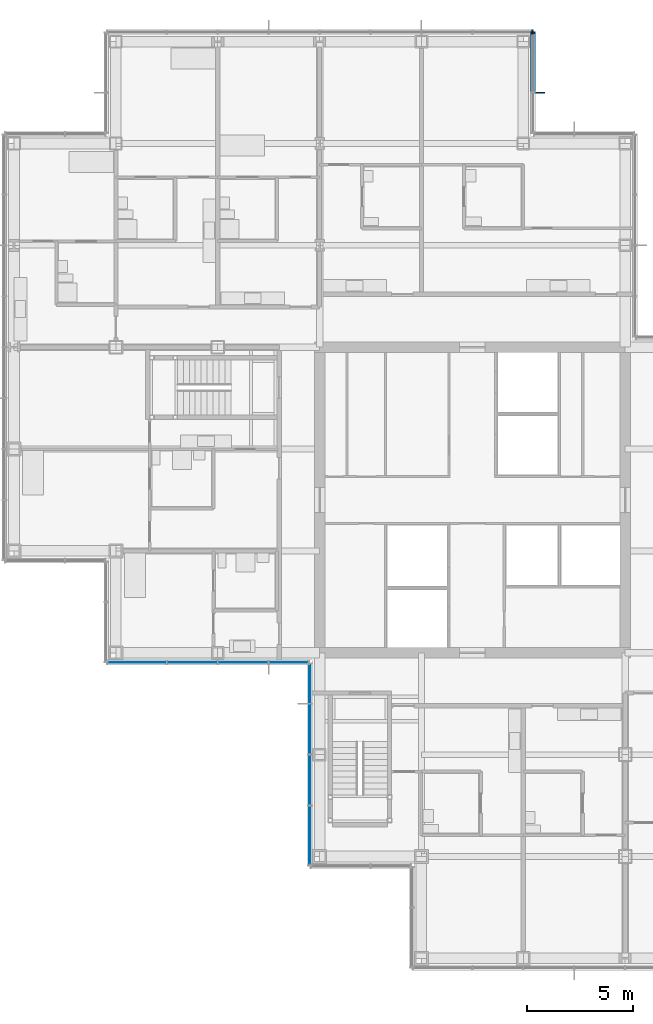
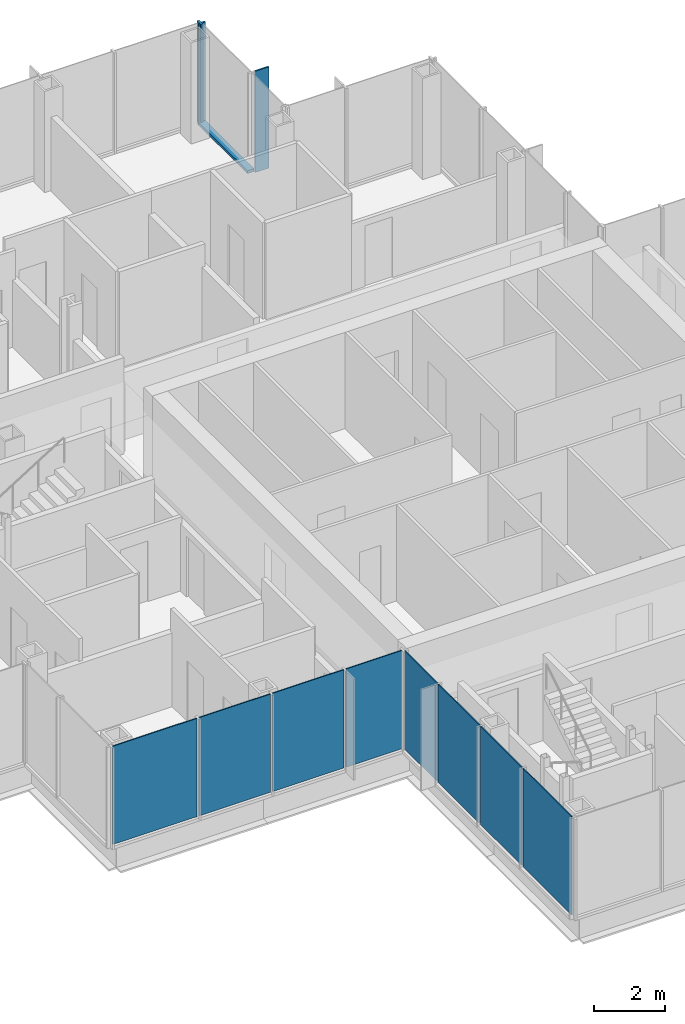
# One storey, part 11 of 20: 8 plates, 4 members, 4 elements without a shape of their own.
"""IFC4 building model written with IfcOpenShell, lengths in metres."""

from ifc_helpers import new_model, si_unit, direction, frame, origin, origin_2d, place, context, subcontext, project, spatial, rectangle, extrude, material, layer, layer_set, material_profile, profile_set, type_object, element, aggregate, save


model = new_model("IFC4")

# Units and contexts
model_context = context("Model", 3, precision=1e-05, world=origin(), true_north=direction((0.0, 1.0)))
body_context = subcontext(model_context, "Body", "Model", "MODEL_VIEW")
ifc_project = project(units=[si_unit("LENGTHUNIT", "METRE"), si_unit("AREAUNIT", "SQUARE_METRE"), si_unit("VOLUMEUNIT", "CUBIC_METRE"), si_unit("PLANEANGLEUNIT", "RADIAN"), si_unit("MASSUNIT", "GRAM", prefix="KILO")], contexts=[model_context])

# Site, building, storey
site_placement = place(None, origin())
site = spatial("IfcSite", under=ifc_project, at=site_placement, CompositionType="ELEMENT")
building_placement = place(site_placement, origin())
building = spatial("IfcBuilding", under=site, at=building_placement, Name="Kvirike Care Tower", CompositionType="ELEMENT")
storey_placement = place(building_placement, frame((0.0, 0.0, 105.0)))
storey = spatial("IfcBuildingStorey", under=building, at=storey_placement, Name="L28", CompositionType="ELEMENT", Elevation=105.0)

# Curtain wall, members
ifc_material_1 = material(Name="Anodised aluminium stick system", Category="aluminium")
curtain_wall_type = type_object("IfcCurtainWallType", Name="CW-B STICK CURTAIN WALL", PredefinedType="NOTDEFINED", material=ifc_material_1)
curtain_wall_1_placement = place(storey_placement, origin())
curtain_wall_1 = element("IfcCurtainWall", 1, at=curtain_wall_1_placement, inside=storey, type_object=curtain_wall_type, Name="Curtain wall L28 face 7", PredefinedType="NOTDEFINED")
ifc_material_2 = material(Name="Bronze anodised aluminium fin", Category="aluminium")
ifc_material_profile_1 = material_profile(ifc_material_2, rectangle(XDim=0.050048828125, YDim=0.449951171875, at=origin_2d()), Name="BRONZE FIN 450")
ifc_profile_set_1 = profile_set([ifc_material_profile_1], Name="Bronze anodised aluminium fin")
member_type_1 = type_object("IfcMemberType", Name="BRONZE FIN 450", PredefinedType="USERDEFINED", material=ifc_profile_set_1)
member_1_placement = place(storey_placement, frame((24.794921875, 55.199951171875, 0.0), z_axis=(0.0, 0.0, 1.0), x_axis=(0.0, 1.0, 0.0)))
member_1 = element("IfcMember", 2, at=member_1_placement, type_object=member_type_1, Name="Bronze fin L28 face 7.2", ObjectType="FIN", PredefinedType="USERDEFINED", context=body_context, shape_type="SweptSolid", body=[
    extrude(rectangle(XDim=0.050048828125, YDim=0.449951171875, at=origin_2d()), origin(), (0.0, 0.0, 1.0), 3.5),
])
ifc_material_3 = material(Name="Bronze anodised aluminium mullion", Category="aluminium")
ifc_material_profile_2 = material_profile(ifc_material_3, rectangle(XDim=0.06494140625, YDim=0.219970703125, at=origin_2d()), Name="CW-B MULLION 65x220")
ifc_profile_set_2 = profile_set([ifc_material_profile_2], Name="Bronze anodised aluminium mullion")
member_type_2 = type_object("IfcMemberType", Name="CW-B MULLION 65x220", PredefinedType="MULLION", material=ifc_profile_set_2)
member_2_placement = place(storey_placement, frame((24.4599609375, 58.027587890625, 0.0), z_axis=(0.0, 0.0, 1.0), x_axis=(0.0, 1.0, 0.0)))
member_2 = element("IfcMember", 3, at=member_2_placement, type_object=member_type_2, Name="CW-B mullion L28 face 7.3", PredefinedType="MULLION", context=body_context, shape_type="SweptSolid", body=[
    extrude(rectangle(XDim=0.06494140625, YDim=0.219970703125, at=origin_2d()), origin(), (0.0, 0.0, 1.0), 3.5),
])

# Curtain wall, member
curtain_wall_2_placement = place(storey_placement, origin())
curtain_wall_2 = element("IfcCurtainWall", 4, at=curtain_wall_2_placement, inside=storey, type_object=curtain_wall_type, Name="Curtain wall L28 face 8", PredefinedType="NOTDEFINED")
member_3_placement = place(storey_placement, frame((24.427490234375, 58.06005859375, 0.0), z_axis=(0.0, 0.0, 1.0), x_axis=(-1.0, 0.0, 0.0)))
member_3 = element("IfcMember", 5, at=member_3_placement, type_object=member_type_2, Name="CW-B mullion L28 face 8.1", PredefinedType="MULLION", context=body_context, shape_type="SweptSolid", body=[
    extrude(rectangle(XDim=0.06494140625, YDim=0.219970703125, at=origin_2d()), origin(), (0.0, 0.0, 1.0), 3.5),
])
aggregate(curtain_wall_2, [member_3])

# Member
ifc_material_4 = material(Name="Bronze anodised aluminium transom", Category="aluminium")
ifc_material_profile_3 = material_profile(ifc_material_4, rectangle(XDim=0.219970703125, YDim=0.10009765625, at=origin_2d()), Name="CW-B TRANSOM 220x100")
ifc_profile_set_3 = profile_set([ifc_material_profile_3], Name="Bronze anodised aluminium transom")
member_type_3 = type_object("IfcMemberType", Name="CW-B TRANSOM 220x100", PredefinedType="USERDEFINED", material=ifc_profile_set_3)
member_4_placement = place(storey_placement, frame((24.4599609375, 55.232421875, 0.050048828125), z_axis=(0.0, 1.0, 0.0), x_axis=(-1.0, 0.0, 0.0)))
member_4 = element("IfcMember", 6, at=member_4_placement, type_object=member_type_3, Name="CW-B sill transom L28 face 7.2", ObjectType="TRANSOM", PredefinedType="USERDEFINED", context=body_context, shape_type="SweptSolid", body=[
    extrude(rectangle(XDim=0.219970703125, YDim=0.10009765625, at=origin_2d()), origin(), (0.0, 0.0, 1.0), 2.7626953125),
])

aggregate(curtain_wall_1, [member_1, member_2, member_4])

# Curtain wall, plates
curtain_wall_3_placement = place(storey_placement, origin())
curtain_wall_3 = element("IfcCurtainWall", 7, at=curtain_wall_3_placement, inside=storey, type_object=curtain_wall_type, Name="Curtain wall L28 face 14", PredefinedType="NOTDEFINED")
ifc_material_5 = material(Name="Tinted double glazed unit", Category="glass")
ifc_layer = layer(ifc_material_5, 0.035888671875)
ifc_layer_set = layer_set([ifc_layer], Name="TINTED VISION PANEL 36")
plate_type = type_object("IfcPlateType", Name="TINTED VISION PANEL 36", PredefinedType="CURTAIN_PANEL", material=ifc_layer_set)
plate_1_placement = place(storey_placement, frame((5.7861328125, 28.340087890625, 0.10009765625), z_axis=(0.0, 0.0, 1.0), x_axis=(1.0, 0.0, 0.0)))
plate_1 = element("IfcPlate", 8, at=plate_1_placement, type_object=plate_type, Name="CW-B panel L28 face 14.1", PredefinedType="CURTAIN_PANEL", context=body_context, shape_type="SweptSolid", body=[
    extrude(rectangle(XDim=2.762451171875, YDim=0.035888671875, at=origin_2d()), origin(), (0.0, 0.0, 1.0), 3.39990234375),
])
plate_2_placement = place(storey_placement, frame((8.39990234375, 28.340087890625, 0.10009765625), z_axis=(0.0, 0.0, 1.0), x_axis=(1.0, 0.0, 0.0)))
plate_2 = element("IfcPlate", 9, at=plate_2_placement, type_object=plate_type, Name="CW-B panel L28 face 14.2", PredefinedType="CURTAIN_PANEL", context=body_context, shape_type="SweptSolid", body=[
    extrude(rectangle(XDim=2.3349609375, YDim=0.035888671875, at=origin_2d()), origin(), (0.0, 0.0, 1.0), 3.39990234375),
])
plate_3_placement = place(storey_placement, frame((10.800048828125, 28.340087890625, 0.10009765625), z_axis=(0.0, 0.0, 1.0), x_axis=(1.0, 0.0, 0.0)))
plate_3 = element("IfcPlate", 10, at=plate_3_placement, type_object=plate_type, Name="CW-B panel L28 face 14.3", PredefinedType="CURTAIN_PANEL", context=body_context, shape_type="SweptSolid", body=[
    extrude(rectangle(XDim=2.3349609375, YDim=0.035888671875, at=origin_2d()), origin(), (0.0, 0.0, 1.0), 3.39990234375),
])
plate_4_placement = place(storey_placement, frame((12.953857421875, 28.340087890625, 0.10009765625), z_axis=(0.0, 0.0, 1.0), x_axis=(1.0, 0.0, 0.0)))
plate_4 = element("IfcPlate", 11, at=plate_4_placement, type_object=plate_type, Name="CW-B panel L28 face 14.4", PredefinedType="CURTAIN_PANEL", context=body_context, shape_type="SweptSolid", body=[
    extrude(rectangle(XDim=1.842529296875, YDim=0.035888671875, at=origin_2d()), origin(), (0.0, 0.0, 1.0), 3.39990234375),
])
aggregate(curtain_wall_3, [plate_1, plate_2, plate_3, plate_4])

curtain_wall_4_placement = place(storey_placement, origin())
curtain_wall_4 = element("IfcCurtainWall", 12, at=curtain_wall_4_placement, inside=storey, type_object=curtain_wall_type, Name="Curtain wall L28 face 15", PredefinedType="NOTDEFINED")
plate_5_placement = place(storey_placement, frame((13.93994140625, 27.353759765625, 0.10009765625), z_axis=(0.0, 0.0, 1.0), x_axis=(0.0, -1.0, 0.0)))
plate_5 = element("IfcPlate", 13, at=plate_5_placement, type_object=plate_type, Name="CW-B panel L28 face 15.1", PredefinedType="CURTAIN_PANEL", context=body_context, shape_type="SweptSolid", body=[
    extrude(rectangle(XDim=1.842529296875, YDim=0.035888671875, at=origin_2d()), origin(), (0.0, 0.0, 1.0), 3.39990234375),
])
plate_6_placement = place(storey_placement, frame((13.93994140625, 25.199951171875, 0.10009765625), z_axis=(0.0, 0.0, 1.0), x_axis=(0.0, -1.0, 0.0)))
plate_6 = element("IfcPlate", 14, at=plate_6_placement, type_object=plate_type, Name="CW-B panel L28 face 15.2", PredefinedType="CURTAIN_PANEL", context=body_context, shape_type="SweptSolid", body=[
    extrude(rectangle(XDim=2.3349609375, YDim=0.035888671875, at=origin_2d()), origin(), (0.0, 0.0, 1.0), 3.39990234375),
])
plate_7_placement = place(storey_placement, frame((13.93994140625, 22.800048828125, 0.10009765625), z_axis=(0.0, 0.0, 1.0), x_axis=(0.0, -1.0, 0.0)))
plate_7 = element("IfcPlate", 15, at=plate_7_placement, type_object=plate_type, Name="CW-B panel L28 face 15.3", PredefinedType="CURTAIN_PANEL", context=body_context, shape_type="SweptSolid", body=[
    extrude(rectangle(XDim=2.3349609375, YDim=0.035888671875, at=origin_2d()), origin(), (0.0, 0.0, 1.0), 3.39990234375),
])
plate_8_placement = place(storey_placement, frame((13.93994140625, 20.186279296875, 0.10009765625), z_axis=(0.0, 0.0, 1.0), x_axis=(0.0, -1.0, 0.0)))
plate_8 = element("IfcPlate", 16, at=plate_8_placement, type_object=plate_type, Name="CW-B panel L28 face 15.4", PredefinedType="CURTAIN_PANEL", context=body_context, shape_type="SweptSolid", body=[
    extrude(rectangle(XDim=2.762451171875, YDim=0.035888671875, at=origin_2d()), origin(), (0.0, 0.0, 1.0), 3.39990234375),
])
aggregate(curtain_wall_4, [plate_5, plate_6, plate_7, plate_8])

save(model, "model.ifc")
